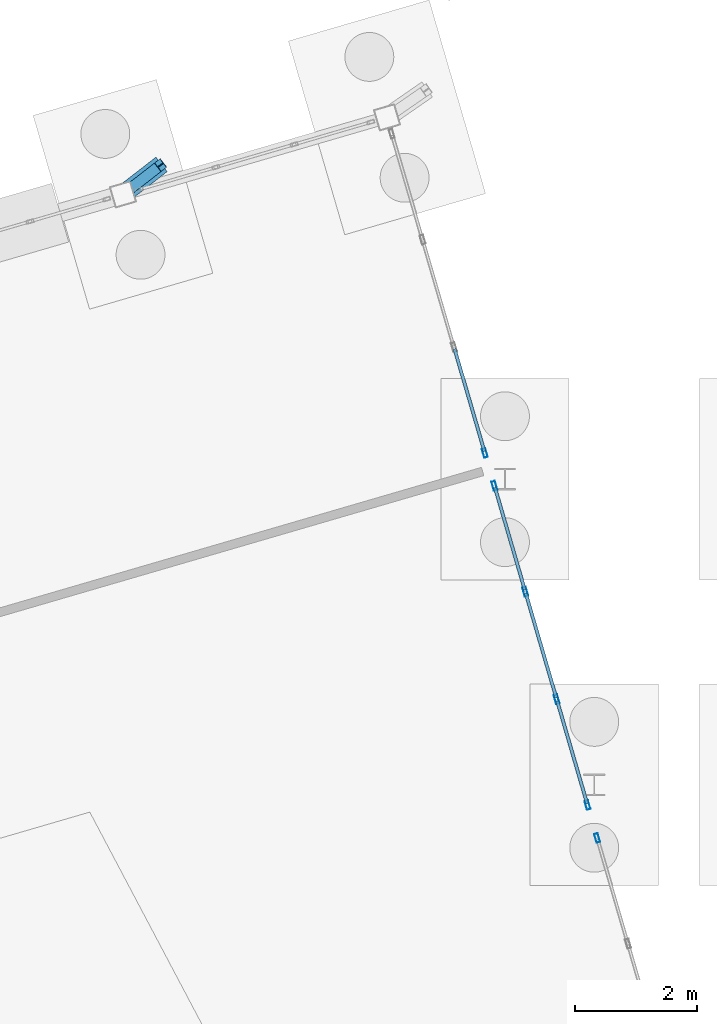
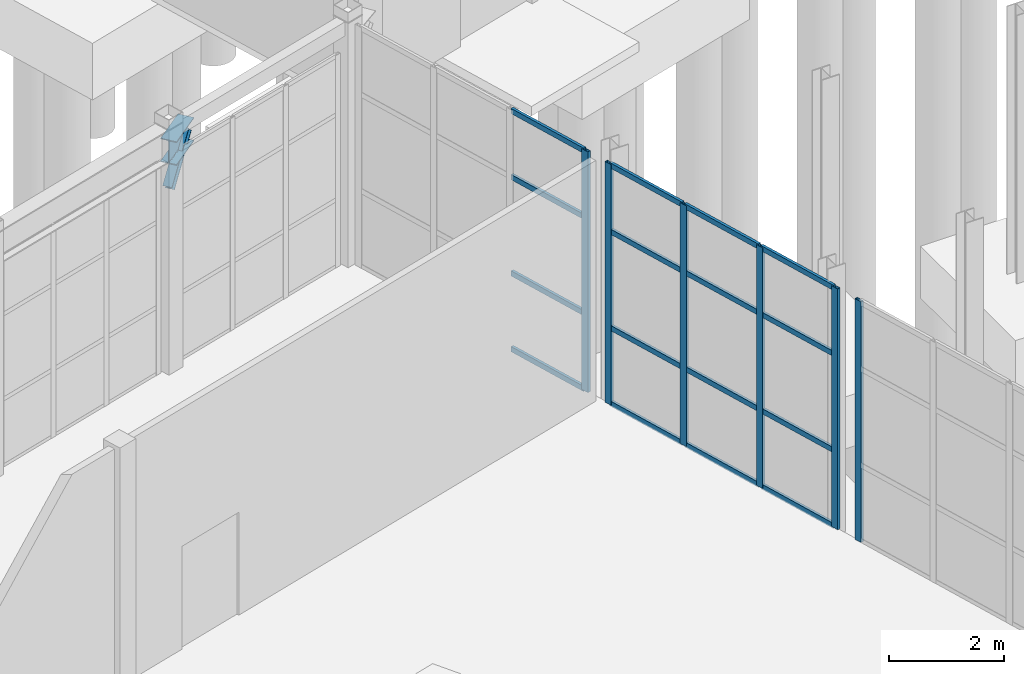
# One storey, part 45 of 90: 23 members, 1 beam, 3 elements without a shape of their own.
"""IFC4 building model written with IfcOpenShell, lengths in metres."""

from ifc_helpers import new_model, si_unit, direction, frame, origin, origin_2d, place, context, subcontext, project, spatial, hollow_rectangle, i_section, extrude, material, layer, layer_set, material_profile, profile_set, type_object, element, aggregate, save


model = new_model("IFC4")

# Units and contexts
model_context = context("Model", 3, precision=1e-05, world=origin(), true_north=direction((0.0, 1.0)))
body_context = subcontext(model_context, "Body", "Model", "MODEL_VIEW")
ifc_project = project(units=[si_unit("LENGTHUNIT", "METRE"), si_unit("AREAUNIT", "SQUARE_METRE"), si_unit("VOLUMEUNIT", "CUBIC_METRE"), si_unit("PLANEANGLEUNIT", "RADIAN"), si_unit("MASSUNIT", "GRAM", prefix="KILO")], contexts=[model_context])

# Site, building, storey
site_placement = place(None, origin())
site = spatial("IfcSite", under=ifc_project, at=site_placement, CompositionType="ELEMENT")
building_placement = place(site_placement, origin())
building = spatial("IfcBuilding", under=site, at=building_placement, Name="Canggui Botanical Conservatory", CompositionType="ELEMENT")
storey_placement = place(building_placement, origin())
storey = spatial("IfcBuildingStorey", under=building, at=storey_placement, Name="L01", CompositionType="ELEMENT", Elevation=0.0)

# Beam
ifc_material_1 = material(Name="Steel Q355B", Category="steel")
ifc_material_profile_1 = material_profile(ifc_material_1, i_section(OverallWidth=0.300048828125, OverallDepth=0.5, WebThickness=0.010986328125, FlangeThickness=0.01806640625, FilletRadius=0.02392578125, at=origin_2d()), Name="HM 500x300x11x18")
ifc_profile_set_1 = profile_set([ifc_material_profile_1], Name="Steel Q355B")
beam_type = type_object("IfcBeamType", Name="BM-GL01", PredefinedType="BEAM", material=ifc_profile_set_1)
beam_placement = place(storey_placement, frame((59.1201171875, 84.659912109375, 4.56005859375), z_axis=(0.789927106126, 0.613200755876, 0.0), x_axis=(-0.613200755876, 0.789927106126, 0.0)))
element("IfcBeam", 1, at=beam_placement, inside=storey, type_object=beam_type, Name="SB-03 Seismic-Joint Structural Bearing Corbel Seat 1", PredefinedType="BEAM", context=body_context, shape_type="SweptSolid", body=[
    extrude(i_section(OverallWidth=0.300048828125, OverallDepth=0.5, WebThickness=0.010986328125, FlangeThickness=0.01806640625, FilletRadius=0.02392578125, at=origin_2d()), origin(), (0.0, 0.0, 1.0), 0.7998046875),
])

# Curtain wall, member
ifc_material_2 = material(Name="Thermally Broken Aluminium", Category="aluminium")
ifc_layer = layer(ifc_material_2, 0.14990234375, Name="Thermally Broken Aluminium", Category="aluminium")
ifc_layer_set = layer_set([ifc_layer], Name="Thermally Broken Aluminium")
curtain_wall_type = type_object("IfcCurtainWallType", Name="CW-UNIT-C", PredefinedType="USERDEFINED", material=ifc_layer_set)
curtain_wall_1_placement = place(storey_placement, origin())
curtain_wall_1 = element("IfcCurtainWall", 2, at=curtain_wall_1_placement, inside=storey, type_object=curtain_wall_type, Name="Facade Curtain Wall CW-CONS-GABLE-N-03", ObjectType="UNITISED CURTAIN WALL", PredefinedType="USERDEFINED")
ifc_material_profile_2 = material_profile(ifc_material_2, hollow_rectangle(XDim=0.06005859375, YDim=0.14990234375, WallThickness=0.00341796875, at=origin_2d()), Name="CWM 60x150x3.5")
ifc_profile_set_2 = profile_set([ifc_material_profile_2], Name="Thermally Broken Aluminium")
member_type_1 = type_object("IfcMemberType", Name="CWM-03", PredefinedType="MULLION", material=ifc_profile_set_2)
member_1_placement = place(storey_placement, frame((66.87841796875, 74.131103515625, 0.0), z_axis=(0.0, 0.0, 1.0), x_axis=(-0.960000000002, -0.279999999995, 0.0)))
member_1 = element("IfcMember", 3, at=member_1_placement, type_object=member_type_1, Name="CW-03 mullion 4", PredefinedType="MULLION", context=body_context, shape_type="SweptSolid", body=[
    extrude(hollow_rectangle(XDim=0.06005859375, YDim=0.14990234375, WallThickness=0.00341796875, at=origin_2d()), origin(), (0.0, 0.0, 1.0), 5.10009765625),
])
aggregate(curtain_wall_1, [member_1])

# Curtain wall, members
curtain_wall_2_placement = place(storey_placement, origin())
curtain_wall_2 = element("IfcCurtainWall", 4, at=curtain_wall_2_placement, inside=storey, type_object=curtain_wall_type, Name="Facade Curtain Wall CW-CONS-GABLE-N-04", ObjectType="UNITISED CURTAIN WALL", PredefinedType="USERDEFINED")
member_2_placement = place(storey_placement, frame((66.7216796875, 74.668701171875, 0.0), z_axis=(0.0, 0.0, 1.0), x_axis=(-0.960000000002, -0.279999999995, 0.0)))
member_2 = element("IfcMember", 5, at=member_2_placement, type_object=member_type_1, Name="CW-03 mullion 1", PredefinedType="MULLION", context=body_context, shape_type="SweptSolid", body=[
    extrude(hollow_rectangle(XDim=0.06005859375, YDim=0.14990234375, WallThickness=0.00341796875, at=origin_2d()), origin(), (0.0, 0.0, 1.0), 5.10009765625),
])
member_3_placement = place(storey_placement, frame((66.216552734375, 76.39990234375, 0.0), z_axis=(0.0, 0.0, 1.0), x_axis=(-0.960000000002, -0.279999999995, 0.0)))
member_3 = element("IfcMember", 6, at=member_3_placement, type_object=member_type_1, Name="CW-03 mullion 2", PredefinedType="MULLION", context=body_context, shape_type="SweptSolid", body=[
    extrude(hollow_rectangle(XDim=0.06005859375, YDim=0.14990234375, WallThickness=0.00341796875, at=origin_2d()), origin(), (0.0, 0.0, 1.0), 5.10009765625),
])
member_4_placement = place(storey_placement, frame((65.703369140625, 78.159912109375, 0.0), z_axis=(0.0, 0.0, 1.0), x_axis=(-0.960000000002, -0.279999999995, 0.0)))
member_4 = element("IfcMember", 7, at=member_4_placement, type_object=member_type_1, Name="CW-03 mullion 3", PredefinedType="MULLION", context=body_context, shape_type="SweptSolid", body=[
    extrude(hollow_rectangle(XDim=0.06005859375, YDim=0.14990234375, WallThickness=0.00341796875, at=origin_2d()), origin(), (0.0, 0.0, 1.0), 5.10009765625),
])
member_5_placement = place(storey_placement, frame((65.198486328125, 79.89111328125, 0.0), z_axis=(0.0, 0.0, 1.0), x_axis=(-0.960000000002, -0.279999999995, 0.0)))
member_5 = element("IfcMember", 8, at=member_5_placement, type_object=member_type_1, Name="CW-03 mullion 4", PredefinedType="MULLION", context=body_context, shape_type="SweptSolid", body=[
    extrude(hollow_rectangle(XDim=0.06005859375, YDim=0.14990234375, WallThickness=0.00341796875, at=origin_2d()), origin(), (0.0, 0.0, 1.0), 5.10009765625),
])

# Curtain wall, member
curtain_wall_3_placement = place(storey_placement, origin())
curtain_wall_3 = element("IfcCurtainWall", 9, at=curtain_wall_3_placement, inside=storey, type_object=curtain_wall_type, Name="Facade Curtain Wall CW-CONS-GABLE-N-05", ObjectType="UNITISED CURTAIN WALL", PredefinedType="USERDEFINED")
member_6_placement = place(storey_placement, frame((65.04150390625, 80.4287109375, 0.0), z_axis=(0.0, 0.0, 1.0), x_axis=(-0.960000000002, -0.279999999995, 0.0)))
member_6 = element("IfcMember", 10, at=member_6_placement, type_object=member_type_1, Name="CW-03 mullion 1", PredefinedType="MULLION", context=body_context, shape_type="SweptSolid", body=[
    extrude(hollow_rectangle(XDim=0.06005859375, YDim=0.14990234375, WallThickness=0.00341796875, at=origin_2d()), origin(), (0.0, 0.0, 1.0), 5.10009765625),
])

# Member
ifc_material_profile_3 = material_profile(ifc_material_2, hollow_rectangle(XDim=0.054931640625, YDim=0.110107421875, WallThickness=0.0029296875, at=origin_2d()), Name="CWT 55x110x3")
ifc_profile_set_3 = profile_set([ifc_material_profile_3], Name="Thermally Broken Aluminium")
member_type_2 = type_object("IfcMemberType", Name="CWT-03", PredefinedType="USERDEFINED", material=ifc_profile_set_3)
member_7_placement = place(storey_placement, frame((66.713134765625, 74.697509765625, 0.027587890625), z_axis=(-0.279951599808, 0.960014115399, 0.0), x_axis=(-0.960014115399, -0.279951599808, 0.0)))
member_7 = element("IfcMember", 11, at=member_7_placement, type_object=member_type_2, Name="CW-03 transom 1.1", ObjectType="TRANSOM", PredefinedType="USERDEFINED", context=body_context, shape_type="SweptSolid", body=[
    extrude(hollow_rectangle(XDim=0.054931640625, YDim=0.110107421875, WallThickness=0.0029296875, at=origin_2d()), origin(), (0.0, 0.0, 1.0), 1.743408203125),
])

member_8_placement = place(storey_placement, frame((66.713134765625, 74.697509765625, 1.632080078125), z_axis=(-0.279951599808, 0.960014115399, 0.0), x_axis=(-0.960014115399, -0.279951599808, 0.0)))
member_8 = element("IfcMember", 12, at=member_8_placement, type_object=member_type_2, Name="CW-03 transom 1.2", ObjectType="TRANSOM", PredefinedType="USERDEFINED", context=body_context, shape_type="SweptSolid", body=[
    extrude(hollow_rectangle(XDim=0.054931640625, YDim=0.110107421875, WallThickness=0.0029296875, at=origin_2d()), origin(), (0.0, 0.0, 1.0), 1.743408203125),
])

member_9_placement = place(storey_placement, frame((66.713134765625, 74.697509765625, 3.672119140625), z_axis=(-0.279951599808, 0.960014115399, 0.0), x_axis=(-0.960014115399, -0.279951599808, 0.0)))
member_9 = element("IfcMember", 13, at=member_9_placement, type_object=member_type_2, Name="CW-03 transom 1.3", ObjectType="TRANSOM", PredefinedType="USERDEFINED", context=body_context, shape_type="SweptSolid", body=[
    extrude(hollow_rectangle(XDim=0.054931640625, YDim=0.110107421875, WallThickness=0.0029296875, at=origin_2d()), origin(), (0.0, 0.0, 1.0), 1.743408203125),
])

member_10_placement = place(storey_placement, frame((66.713134765625, 74.697509765625, 5.072509765625), z_axis=(-0.279951599808, 0.960014115399, 0.0), x_axis=(-0.960014115399, -0.279951599808, 0.0)))
member_10 = element("IfcMember", 14, at=member_10_placement, type_object=member_type_2, Name="CW-03 transom 1.4", ObjectType="TRANSOM", PredefinedType="USERDEFINED", context=body_context, shape_type="SweptSolid", body=[
    extrude(hollow_rectangle(XDim=0.054931640625, YDim=0.110107421875, WallThickness=0.0029296875, at=origin_2d()), origin(), (0.0, 0.0, 1.0), 1.743408203125),
])

member_11_placement = place(storey_placement, frame((66.208251953125, 76.4287109375, 0.027587890625), z_axis=(-0.280026433067, 0.95999228996, 0.0), x_axis=(-0.95999228996, -0.280026433067, 0.0)))
member_11 = element("IfcMember", 15, at=member_11_placement, type_object=member_type_2, Name="CW-03 transom 2.1", ObjectType="TRANSOM", PredefinedType="USERDEFINED", context=body_context, shape_type="SweptSolid", body=[
    extrude(hollow_rectangle(XDim=0.054931640625, YDim=0.110107421875, WallThickness=0.0029296875, at=origin_2d()), origin(), (0.0, 0.0, 1.0), 1.7734375),
])

member_12_placement = place(storey_placement, frame((66.208251953125, 76.4287109375, 1.632080078125), z_axis=(-0.280026433067, 0.95999228996, 0.0), x_axis=(-0.95999228996, -0.280026433067, 0.0)))
member_12 = element("IfcMember", 16, at=member_12_placement, type_object=member_type_2, Name="CW-03 transom 2.2", ObjectType="TRANSOM", PredefinedType="USERDEFINED", context=body_context, shape_type="SweptSolid", body=[
    extrude(hollow_rectangle(XDim=0.054931640625, YDim=0.110107421875, WallThickness=0.0029296875, at=origin_2d()), origin(), (0.0, 0.0, 1.0), 1.7734375),
])

member_13_placement = place(storey_placement, frame((66.208251953125, 76.4287109375, 3.672119140625), z_axis=(-0.280026433067, 0.95999228996, 0.0), x_axis=(-0.95999228996, -0.280026433067, 0.0)))
member_13 = element("IfcMember", 17, at=member_13_placement, type_object=member_type_2, Name="CW-03 transom 2.3", ObjectType="TRANSOM", PredefinedType="USERDEFINED", context=body_context, shape_type="SweptSolid", body=[
    extrude(hollow_rectangle(XDim=0.054931640625, YDim=0.110107421875, WallThickness=0.0029296875, at=origin_2d()), origin(), (0.0, 0.0, 1.0), 1.7734375),
])

member_14_placement = place(storey_placement, frame((66.208251953125, 76.4287109375, 5.072509765625), z_axis=(-0.280026433067, 0.95999228996, 0.0), x_axis=(-0.95999228996, -0.280026433067, 0.0)))
member_14 = element("IfcMember", 18, at=member_14_placement, type_object=member_type_2, Name="CW-03 transom 2.4", ObjectType="TRANSOM", PredefinedType="USERDEFINED", context=body_context, shape_type="SweptSolid", body=[
    extrude(hollow_rectangle(XDim=0.054931640625, YDim=0.110107421875, WallThickness=0.0029296875, at=origin_2d()), origin(), (0.0, 0.0, 1.0), 1.7734375),
])

member_15_placement = place(storey_placement, frame((65.69482421875, 78.188720703125, 0.027587890625), z_axis=(-0.279951599808, 0.960014115399, 0.0), x_axis=(-0.960014115399, -0.279951599808, 0.0)))
member_15 = element("IfcMember", 19, at=member_15_placement, type_object=member_type_2, Name="CW-03 transom 3.1", ObjectType="TRANSOM", PredefinedType="USERDEFINED", context=body_context, shape_type="SweptSolid", body=[
    extrude(hollow_rectangle(XDim=0.054931640625, YDim=0.110107421875, WallThickness=0.0029296875, at=origin_2d()), origin(), (0.0, 0.0, 1.0), 1.743408203125),
])

member_16_placement = place(storey_placement, frame((65.69482421875, 78.188720703125, 1.632080078125), z_axis=(-0.279951599808, 0.960014115399, 0.0), x_axis=(-0.960014115399, -0.279951599808, 0.0)))
member_16 = element("IfcMember", 20, at=member_16_placement, type_object=member_type_2, Name="CW-03 transom 3.2", ObjectType="TRANSOM", PredefinedType="USERDEFINED", context=body_context, shape_type="SweptSolid", body=[
    extrude(hollow_rectangle(XDim=0.054931640625, YDim=0.110107421875, WallThickness=0.0029296875, at=origin_2d()), origin(), (0.0, 0.0, 1.0), 1.743408203125),
])

member_17_placement = place(storey_placement, frame((65.69482421875, 78.188720703125, 3.672119140625), z_axis=(-0.279951599808, 0.960014115399, 0.0), x_axis=(-0.960014115399, -0.279951599808, 0.0)))
member_17 = element("IfcMember", 21, at=member_17_placement, type_object=member_type_2, Name="CW-03 transom 3.3", ObjectType="TRANSOM", PredefinedType="USERDEFINED", context=body_context, shape_type="SweptSolid", body=[
    extrude(hollow_rectangle(XDim=0.054931640625, YDim=0.110107421875, WallThickness=0.0029296875, at=origin_2d()), origin(), (0.0, 0.0, 1.0), 1.743408203125),
])

member_18_placement = place(storey_placement, frame((65.69482421875, 78.188720703125, 5.072509765625), z_axis=(-0.279951599808, 0.960014115399, 0.0), x_axis=(-0.960014115399, -0.279951599808, 0.0)))
member_18 = element("IfcMember", 22, at=member_18_placement, type_object=member_type_2, Name="CW-03 transom 3.4", ObjectType="TRANSOM", PredefinedType="USERDEFINED", context=body_context, shape_type="SweptSolid", body=[
    extrude(hollow_rectangle(XDim=0.054931640625, YDim=0.110107421875, WallThickness=0.0029296875, at=origin_2d()), origin(), (0.0, 0.0, 1.0), 1.743408203125),
])

aggregate(curtain_wall_2, [member_2, member_3, member_4, member_5, member_7, member_8, member_9, member_10, member_11, member_12, member_13, member_14, member_15, member_16, member_17, member_18])

member_19_placement = place(storey_placement, frame((65.033203125, 80.45751953125, 0.027587890625), z_axis=(-0.279951599808, 0.960014115399, 0.0), x_axis=(-0.960014115399, -0.279951599808, 0.0)))
member_19 = element("IfcMember", 23, at=member_19_placement, type_object=member_type_2, Name="CW-03 transom 1.1", ObjectType="TRANSOM", PredefinedType="USERDEFINED", context=body_context, shape_type="SweptSolid", body=[
    extrude(hollow_rectangle(XDim=0.054931640625, YDim=0.110107421875, WallThickness=0.0029296875, at=origin_2d()), origin(), (0.0, 0.0, 1.0), 1.743408203125),
])

member_20_placement = place(storey_placement, frame((65.033203125, 80.45751953125, 1.632080078125), z_axis=(-0.279951599808, 0.960014115399, 0.0), x_axis=(-0.960014115399, -0.279951599808, 0.0)))
member_20 = element("IfcMember", 24, at=member_20_placement, type_object=member_type_2, Name="CW-03 transom 1.2", ObjectType="TRANSOM", PredefinedType="USERDEFINED", context=body_context, shape_type="SweptSolid", body=[
    extrude(hollow_rectangle(XDim=0.054931640625, YDim=0.110107421875, WallThickness=0.0029296875, at=origin_2d()), origin(), (0.0, 0.0, 1.0), 1.743408203125),
])

member_21_placement = place(storey_placement, frame((65.033203125, 80.45751953125, 3.672119140625), z_axis=(-0.279951599808, 0.960014115399, 0.0), x_axis=(-0.960014115399, -0.279951599808, 0.0)))
member_21 = element("IfcMember", 25, at=member_21_placement, type_object=member_type_2, Name="CW-03 transom 1.3", ObjectType="TRANSOM", PredefinedType="USERDEFINED", context=body_context, shape_type="SweptSolid", body=[
    extrude(hollow_rectangle(XDim=0.054931640625, YDim=0.110107421875, WallThickness=0.0029296875, at=origin_2d()), origin(), (0.0, 0.0, 1.0), 1.743408203125),
])

member_22_placement = place(storey_placement, frame((65.033203125, 80.45751953125, 5.072509765625), z_axis=(-0.279951599808, 0.960014115399, 0.0), x_axis=(-0.960014115399, -0.279951599808, 0.0)))
member_22 = element("IfcMember", 26, at=member_22_placement, type_object=member_type_2, Name="CW-03 transom 1.4", ObjectType="TRANSOM", PredefinedType="USERDEFINED", context=body_context, shape_type="SweptSolid", body=[
    extrude(hollow_rectangle(XDim=0.054931640625, YDim=0.110107421875, WallThickness=0.0029296875, at=origin_2d()), origin(), (0.0, 0.0, 1.0), 1.743408203125),
])

aggregate(curtain_wall_3, [member_6, member_19, member_20, member_21, member_22])

ifc_material_profile_4 = material_profile(ifc_material_1, i_section(OverallWidth=0.175048828125, OverallDepth=0.175048828125, WebThickness=0.007568359375, FlangeThickness=0.010986328125, FilletRadius=0.011962890625, at=origin_2d()), Name="HW 175x175x7.5x11")
ifc_profile_set_4 = profile_set([ifc_material_profile_4], Name="Steel Q355B")
member_type_3 = type_object("IfcMemberType", Name="MEM-STR02", PredefinedType="STRINGER", material=ifc_profile_set_4)
member_23_placement = place(storey_placement, frame((59.1201171875, 84.659912109375, 3.800048828125), z_axis=(0.565661242236, 0.439211404495, 0.697940327817), x_axis=(-0.613290197693, 0.789857666554, 0.0)))
element("IfcMember", 27, at=member_23_placement, inside=storey, type_object=member_type_3, Name="SB-03 Corbel Diagonal Knee Strut 1", PredefinedType="BRACE", context=body_context, shape_type="SweptSolid", body=[
    extrude(i_section(OverallWidth=0.175048828125, OverallDepth=0.175048828125, WebThickness=0.007568359375, FlangeThickness=0.010986328125, FilletRadius=0.011962890625, at=origin_2d()), origin(), (0.0, 0.0, 1.0), 1.0888671875),
])

save(model, "model.ifc")
